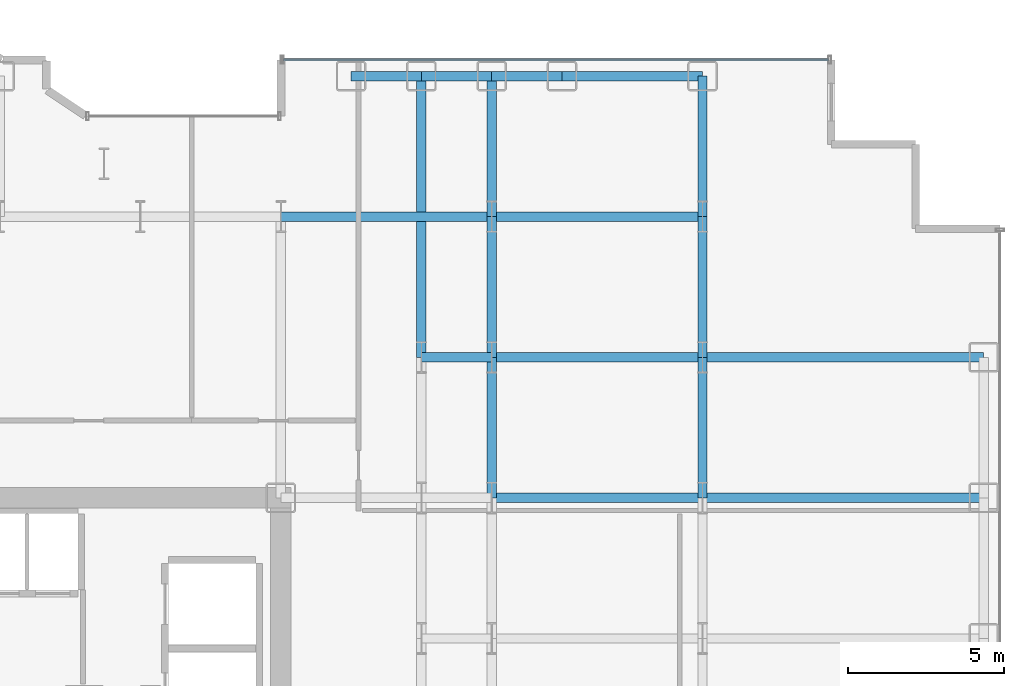
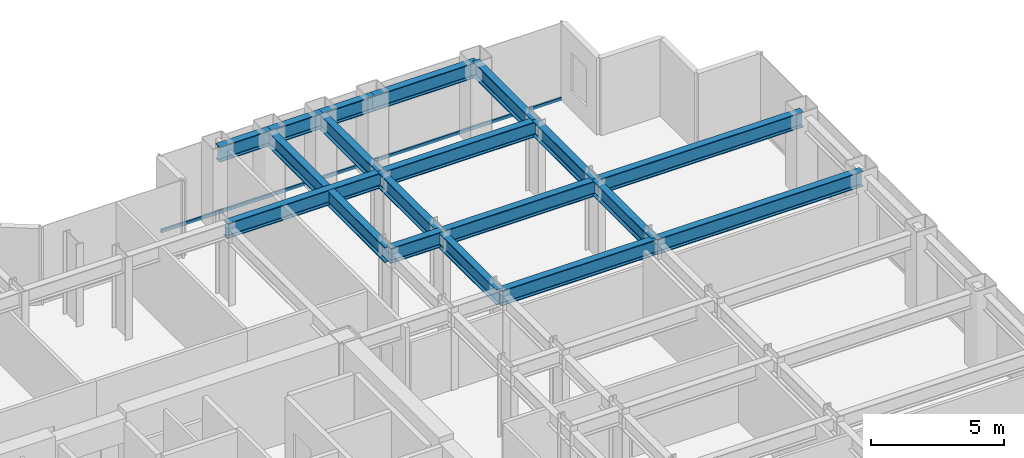
# One storey, part 13 of 25: 18 beams, 1 member, 1 element without a shape of its own.
"""IFC4 building model written with IfcOpenShell, lengths in metres."""

from ifc_helpers import new_model, si_unit, direction, frame, origin, origin_2d, place, context, subcontext, project, spatial, hollow_rectangle, i_section, extrude, source, transform, mapped, material, layer, layer_set, material_profile, profile_set, type_object, element, aggregate, save


model = new_model("IFC4")

# Units and contexts
model_context = context("Model", 3, precision=1e-05, world=origin(), true_north=direction((0.0, 1.0)))
body_context = subcontext(model_context, "Body", "Model", "MODEL_VIEW")
ifc_project = project(units=[si_unit("LENGTHUNIT", "METRE"), si_unit("AREAUNIT", "SQUARE_METRE"), si_unit("VOLUMEUNIT", "CUBIC_METRE"), si_unit("PLANEANGLEUNIT", "RADIAN"), si_unit("MASSUNIT", "GRAM", prefix="KILO")], contexts=[model_context])

# Site, building, storey
site_placement = place(None, origin())
site = spatial("IfcSite", under=ifc_project, at=site_placement, CompositionType="ELEMENT")
building_placement = place(site_placement, origin())
building = spatial("IfcBuilding", under=site, at=building_placement, Name="Nefas-Gora Pilgrimage Tower", CompositionType="ELEMENT")
storey_placement = place(building_placement, frame((0.0, 0.0, 74.800048828125)))
storey = spatial("IfcBuildingStorey", under=building, at=storey_placement, Name="L17", CompositionType="ELEMENT", Elevation=74.800048828125)

# Beams
ifc_material_1 = material(Name="Steel S355", Category="steel")
ifc_material_profile_1 = material_profile(ifc_material_1, i_section(OverallWidth=0.300048828125, OverallDepth=0.699951171875, WebThickness=0.01708984375, FlangeThickness=0.031982421875, FilletRadius=0.027099609375, at=origin_2d()), Name="HEB 700")
ifc_profile_set_1 = profile_set([ifc_material_profile_1], Name="Steel S355")
beam_type_1 = type_object("IfcBeamType", Name="BM-SPN-HEB600", PredefinedType="SPANDREL", material=ifc_profile_set_1)
shared_shape_1 = source(origin(), body_context, "Body", "SweptSolid", [
    extrude(i_section(OverallWidth=0.300048828125, OverallDepth=0.699951171875, WebThickness=0.01708984375, FlangeThickness=0.031982421875, FilletRadius=0.027099609375, at=origin_2d()), origin(), (0.0, 0.0, 1.0), 4.5),
])
beam_1_placement = place(storey_placement, frame((20.25, 22.5, 3.199951171875), z_axis=(1.0, 0.0, 0.0), x_axis=(0.0, 1.0, 0.0)))
element("IfcBeam", 1, at=beam_1_placement, inside=storey, type_object=beam_type_1, Name="L17 SP-01 beam", PredefinedType="SPANDREL", context=body_context, shape_type="MappedRepresentation", body=[
    mapped(shared_shape_1, transform((0.0, 0.0, 0.0), x_axis=(1.0, 0.0, 0.0), y_axis=(0.0, 1.0, 0.0), z_axis=(0.0, 0.0, 1.0), scale=1.0)),
])
ifc_material_profile_2 = material_profile(ifc_material_1, i_section(OverallWidth=0.300048828125, OverallDepth=0.699951171875, WebThickness=0.01708984375, FlangeThickness=0.031982421875, FilletRadius=0.027099609375, at=origin_2d()), Name="HEB 700")
ifc_profile_set_2 = profile_set([ifc_material_profile_2], Name="Steel S355")
beam_type_2 = type_object("IfcBeamType", Name="BM-GIR-HEB700", PredefinedType="BEAM", material=ifc_profile_set_2)
shared_shape_2 = source(origin(), body_context, "Body", "SweptSolid", [
    extrude(i_section(OverallWidth=0.300048828125, OverallDepth=0.699951171875, WebThickness=0.01708984375, FlangeThickness=0.031982421875, FilletRadius=0.027099609375, at=origin_2d()), origin(), (0.0, 0.0, 1.0), 9.0),
])
for number, where, z_axis, x_axis, name in (
    (2, (15.75, 13.5, 3.199951171875), (0.0, 1.0, 0.0), (-1.0, 0.0, 0.0), "L17 G-02 beam"),
    (3, (24.75, 9.0, 3.199951171875), (1.0, 0.0, 0.0), (0.0, 1.0, 0.0), "L17 G-02 beam"),
    (4, (24.75, 13.5, 3.199951171875), (1.0, 0.0, 0.0), (0.0, 1.0, 0.0), "L17 G-02 beam"),
):
    element("IfcBeam", number, at=place(storey_placement, frame(where, z_axis=z_axis, x_axis=x_axis)), inside=storey, type_object=beam_type_2, Name=name, PredefinedType="BEAM", context=body_context, shape_type="MappedRepresentation", body=[
        mapped(shared_shape_2, transform((0.0, 0.0, 0.0), x_axis=(1.0, 0.0, 0.0), y_axis=(0.0, 1.0, 0.0), z_axis=(0.0, 0.0, 1.0), scale=1.0)),
    ])
shared_shape_3 = source(origin(), body_context, "Body", "SweptSolid", [
    extrude(i_section(OverallWidth=0.300048828125, OverallDepth=0.699951171875, WebThickness=0.01708984375, FlangeThickness=0.031982421875, FilletRadius=0.027099609375, at=origin_2d()), origin(), (0.0, 0.0, 1.0), 4.5),
])
for number, where, z_axis, x_axis, name in (
    (5, (18.0, 9.0, 3.199951171875), (0.0, 1.0, 0.0), (-1.0, 0.0, 0.0), "L17 G-02 beam"),
    (6, (18.0, 13.5, 3.199951171875), (0.0, 1.0, 0.0), (-1.0, 0.0, 0.0), "L17 G-02 beam"),
    (7, (18.0, 18.0, 3.199951171875), (0.0, 1.0, 0.0), (-1.0, 0.0, 0.0), "L17 G-02 beam"),
    (8, (24.75, 9.0, 3.199951171875), (0.0, 1.0, 0.0), (-1.0, 0.0, 0.0), "L17 G-02 beam"),
    (9, (24.75, 13.5, 3.199951171875), (0.0, 1.0, 0.0), (-1.0, 0.0, 0.0), "L17 G-02 beam"),
    (10, (24.75, 18.0, 3.199951171875), (0.0, 1.0, 0.0), (-1.0, 0.0, 0.0), "L17 G-02 beam"),
):
    element("IfcBeam", number, at=place(storey_placement, frame(where, z_axis=z_axis, x_axis=x_axis)), inside=storey, type_object=beam_type_2, Name=name, PredefinedType="BEAM", context=body_context, shape_type="MappedRepresentation", body=[
        mapped(shared_shape_3, transform((0.0, 0.0, 0.0), x_axis=(1.0, 0.0, 0.0), y_axis=(0.0, 1.0, 0.0), z_axis=(0.0, 0.0, 1.0), scale=1.0)),
    ])
shared_shape_4 = source(origin(), body_context, "Body", "SweptSolid", [
    extrude(i_section(OverallWidth=0.300048828125, OverallDepth=0.699951171875, WebThickness=0.01708984375, FlangeThickness=0.031982421875, FilletRadius=0.027099609375, at=origin_2d()), origin(), (0.0, 0.0, 1.0), 6.75),
])
for number, where, z_axis, x_axis, name in (
    (11, (11.25, 18.0, 3.199951171875), (1.0, 0.0, 0.0), (0.0, 1.0, 0.0), "L17 G-02 beam"),
    (12, (18.0, 9.0, 3.199951171875), (1.0, 0.0, 0.0), (0.0, 1.0, 0.0), "L17 G-02 beam"),
    (13, (18.0, 13.5, 3.199951171875), (1.0, 0.0, 0.0), (0.0, 1.0, 0.0), "L17 G-02 beam"),
    (14, (18.0, 18.0, 3.199951171875), (1.0, 0.0, 0.0), (0.0, 1.0, 0.0), "L17 G-02 beam"),
):
    element("IfcBeam", number, at=place(storey_placement, frame(where, z_axis=z_axis, x_axis=x_axis)), inside=storey, type_object=beam_type_2, Name=name, PredefinedType="BEAM", context=body_context, shape_type="MappedRepresentation", body=[
        mapped(shared_shape_4, transform((0.0, 0.0, 0.0), x_axis=(1.0, 0.0, 0.0), y_axis=(0.0, 1.0, 0.0), z_axis=(0.0, 0.0, 1.0), scale=1.0)),
    ])
shared_shape_5 = source(origin(), body_context, "Body", "SweptSolid", [
    extrude(i_section(OverallWidth=0.300048828125, OverallDepth=0.699951171875, WebThickness=0.01708984375, FlangeThickness=0.031982421875, FilletRadius=0.027099609375, at=origin_2d()), origin(), (0.0, 0.0, 1.0), 2.25),
])
for number, where, z_axis, x_axis, name in (
    (15, (13.5, 22.5, 3.199951171875), (1.0, 0.0, 0.0), (0.0, 1.0, 0.0), "L17 SP-01 beam"),
    (16, (15.75, 22.5, 3.199951171875), (1.0, 0.0, 0.0), (0.0, 1.0, 0.0), "L17 SP-01 beam"),
    (17, (18.0, 22.5, 3.199951171875), (1.0, 0.0, 0.0), (0.0, 1.0, 0.0), "L17 SP-01 beam"),
):
    element("IfcBeam", number, at=place(storey_placement, frame(where, z_axis=z_axis, x_axis=x_axis)), inside=storey, type_object=beam_type_1, Name=name, PredefinedType="SPANDREL", context=body_context, shape_type="MappedRepresentation", body=[
        mapped(shared_shape_5, transform((0.0, 0.0, 0.0), x_axis=(1.0, 0.0, 0.0), y_axis=(0.0, 1.0, 0.0), z_axis=(0.0, 0.0, 1.0), scale=1.0)),
    ])
shared_shape_6 = source(origin(), body_context, "Body", "SweptSolid", [
    extrude(i_section(OverallWidth=0.300048828125, OverallDepth=0.699951171875, WebThickness=0.01708984375, FlangeThickness=0.031982421875, FilletRadius=0.027099609375, at=origin_2d()), origin(), (0.0, 0.0, 1.0), 2.25),
])
beam_2_placement = place(storey_placement, frame((15.75, 13.5, 3.199951171875), z_axis=(1.0, 0.0, 0.0), x_axis=(0.0, 1.0, 0.0)))
element("IfcBeam", 18, at=beam_2_placement, inside=storey, type_object=beam_type_2, Name="L17 G-02 beam", PredefinedType="BEAM", context=body_context, shape_type="MappedRepresentation", body=[
    mapped(shared_shape_6, transform((0.0, 0.0, 0.0), x_axis=(1.0, 0.0, 0.0), y_axis=(0.0, 1.0, 0.0), z_axis=(0.0, 0.0, 1.0), scale=1.0)),
])

# Curtain wall, member
ifc_material_2 = material(Name="Dark ceramic-fritted solar-control aluminium-glass curtain wall", Category="aluminium")
ifc_layer = layer(ifc_material_2, 0.219970703125)
ifc_layer_set = layer_set([ifc_layer], Name="Dark ceramic-fritted solar-control aluminium-glass curtain wall")
curtain_wall_type = type_object("IfcCurtainWallType", Name="CW-SYS-2", PredefinedType="NOTDEFINED", material=ifc_layer_set)
curtain_wall_placement = place(storey_placement, origin())
curtain_wall = element("IfcCurtainWall", 19, at=curtain_wall_placement, inside=storey, type_object=curtain_wall_type, Name="L17 Unitised Curtain Wall CW2", PredefinedType="NOTDEFINED")
ifc_material_3 = material(Name="Anodised architectural aluminium", Category="aluminium")
ifc_material_profile_3 = material_profile(ifc_material_3, hollow_rectangle(XDim=0.080078125, YDim=0.159912109375, WallThickness=0.00439453125, InnerFilletRadius=0.00439453125, OuterFilletRadius=0.009033203125, at=origin_2d()), Name="ALU TRANSOM 80x160")
ifc_profile_set_3 = profile_set([ifc_material_profile_3], Name="Anodised architectural aluminium")
member_type = type_object("IfcMemberType", Name="CWM-TRN-2", PredefinedType="USERDEFINED", material=ifc_profile_set_3)
shared_shape_7 = source(origin(), body_context, "Body", "SweptSolid", [
    extrude(hollow_rectangle(XDim=0.080078125, YDim=0.159912109375, WallThickness=0.00439453125, InnerFilletRadius=0.00439453125, OuterFilletRadius=0.009033203125, at=origin_2d()), origin(), (0.0, 0.0, 1.0), 17.43994140625),
])
member_placement = place(storey_placement, frame((28.780029296875, 23.02001953125, 0.050048828125), z_axis=(-1.0, 0.0, 0.0), x_axis=(0.0, -1.0, 0.0)))
member = element("IfcMember", 20, at=member_placement, type_object=member_type, Name="CW2 Spandrel Transom", ObjectType="TRANSOM", PredefinedType="USERDEFINED", context=body_context, shape_type="MappedRepresentation", body=[
    mapped(shared_shape_7, transform((0.0, 0.0, 0.0), x_axis=(1.0, 0.0, 0.0), y_axis=(0.0, 1.0, 0.0), z_axis=(0.0, 0.0, 1.0), scale=1.0)),
])
aggregate(curtain_wall, [member])

save(model, "model.ifc")
